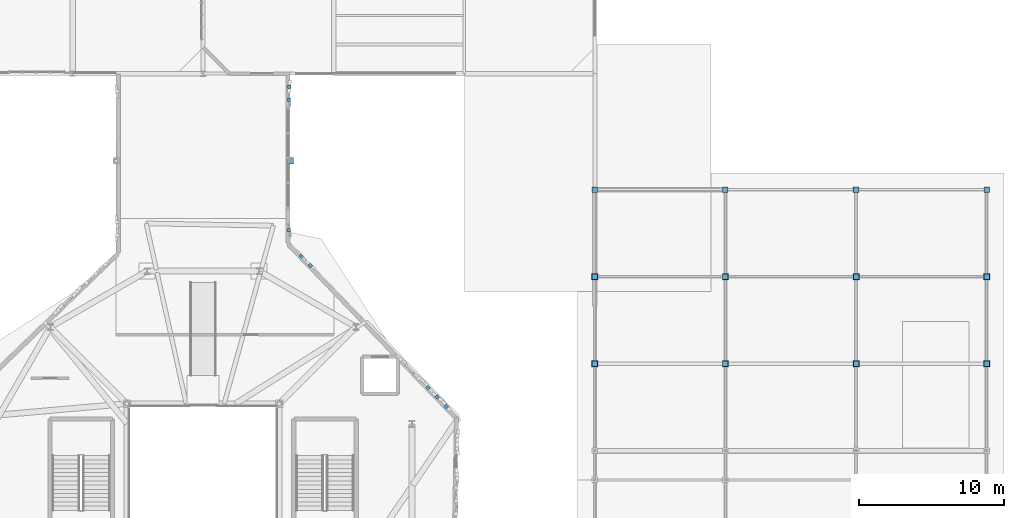
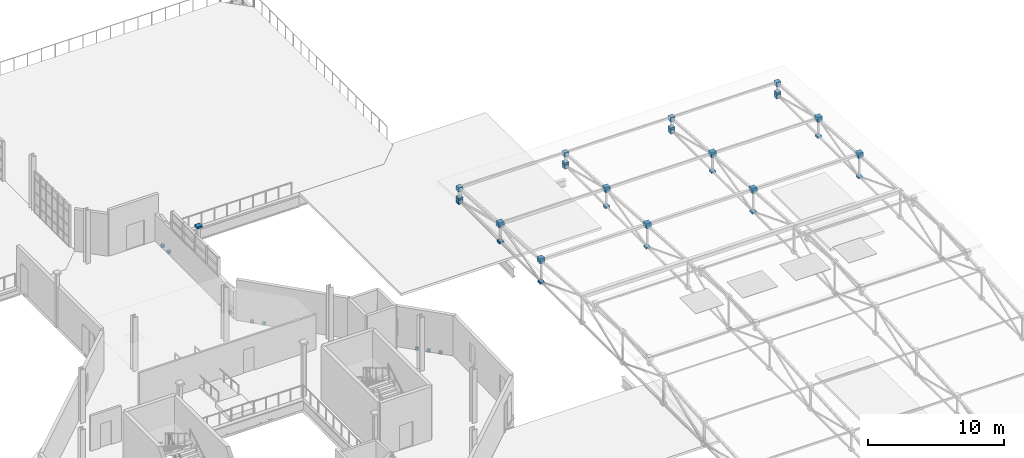
# One storey, part 79 of 85: 45 discrete accessories.
"""IFC4 building model written with IfcOpenShell, lengths in metres."""

from ifc_helpers import new_model, si_unit, direction, frame, origin, place, context, subcontext, project, spatial, polyline, outline, extrude, material, type_object, element, save


model = new_model("IFC4")

# Units and contexts
model_context = context("Model", 3, precision=1e-05, world=origin(), true_north=direction((0.0, 1.0)))
body_context = subcontext(model_context, "Body", "Model", "MODEL_VIEW")
ifc_project = project(units=[si_unit("LENGTHUNIT", "METRE"), si_unit("AREAUNIT", "SQUARE_METRE"), si_unit("VOLUMEUNIT", "CUBIC_METRE"), si_unit("PLANEANGLEUNIT", "RADIAN"), si_unit("MASSUNIT", "GRAM", prefix="KILO"), si_unit("THERMODYNAMICTEMPERATUREUNIT", "KELVIN"), si_unit("POWERUNIT", "WATT")], contexts=[model_context])

# Site, building, storey
site_placement = place(None, origin())
site = spatial("IfcSite", under=ifc_project, at=site_placement, CompositionType="ELEMENT")
building_placement = place(site_placement, origin())
building = spatial("IfcBuilding", under=site, at=building_placement, Name="Zelmaris Science Centre", CompositionType="ELEMENT")
storey_placement = place(building_placement, frame((0.0, 0.0, 20.39990234375)))
storey = spatial("IfcBuildingStorey", under=building, at=storey_placement, Name="L04", CompositionType="ELEMENT", Elevation=20.39990234375)

# Discrete accessories
ifc_material_1 = material(Name="Galvanised steel ASTM A500 Grade B", Category="steel")
discrete_accessory_type_1 = type_object("IfcDiscreteAccessoryType", Name="Facade Bracket BK-01", PredefinedType="BRACKET", material=ifc_material_1)
discrete_accessory_1_placement = place(storey_placement, frame((0.0, 0.0, -0.139892578125)))
element("IfcDiscreteAccessory", 1, at=discrete_accessory_1_placement, inside=storey, type_object=discrete_accessory_type_1, Name="L04 Facade anchorage bracket 167", PredefinedType="BRACKET", context=body_context, shape_type="SweptSolid", body=[
    extrude(outline(polyline([(86.80029296875, 63.22998046875), (86.800537109375, 62.989990234375), (87.031982421875, 62.990234375), (87.031982421875, 63.230224609375), (86.80029296875, 63.22998046875)])), origin(), (0.0, 0.0, 1.0), 0.239990234375),
])
discrete_accessory_2_placement = place(storey_placement, frame((0.0, 0.0, -0.139892578125)))
element("IfcDiscreteAccessory", 2, at=discrete_accessory_2_placement, inside=storey, type_object=discrete_accessory_type_1, Name="L04 Facade anchorage bracket 168", PredefinedType="BRACKET", context=body_context, shape_type="SweptSolid", body=[
    extrude(outline(polyline([(86.80078125, 62.330078125), (86.801025390625, 62.090087890625), (87.03271484375, 62.09033203125), (87.032470703125, 62.330322265625), (86.80078125, 62.330078125)])), origin(), (0.0, 0.0, 1.0), 0.239990234375),
])
discrete_accessory_3_placement = place(storey_placement, frame((0.0, 0.0, -0.139892578125)))
element("IfcDiscreteAccessory", 3, at=discrete_accessory_3_placement, inside=storey, type_object=discrete_accessory_type_1, Name="L04 Facade anchorage bracket 169", PredefinedType="BRACKET", context=body_context, shape_type="SweptSolid", body=[
    extrude(outline(polyline([(86.80615234375, 53.330078125), (86.806396484375, 53.090087890625), (87.037841796875, 53.09033203125), (87.037841796875, 53.330322265625), (86.80615234375, 53.330078125)])), origin(), (0.0, 0.0, 1.0), 0.239990234375),
])
discrete_accessory_4_placement = place(storey_placement, frame((0.0, 0.0, -0.139892578125)))
element("IfcDiscreteAccessory", 4, at=discrete_accessory_4_placement, inside=storey, type_object=discrete_accessory_type_1, Name="L04 Facade anchorage bracket 170", PredefinedType="BRACKET", context=body_context, shape_type="SweptSolid", body=[
    extrude(outline(polyline([(87.586181640625, 51.428466796875), (87.7529296875, 51.255859375), (87.91943359375, 51.416748046875), (87.752685546875, 51.58935546875), (87.586181640625, 51.428466796875)])), origin(), (0.0, 0.0, 1.0), 0.239990234375),
])
discrete_accessory_5_placement = place(storey_placement, frame((0.0, 0.0, -0.139892578125)))
element("IfcDiscreteAccessory", 5, at=discrete_accessory_5_placement, inside=storey, type_object=discrete_accessory_type_1, Name="L04 Facade anchorage bracket 171", PredefinedType="BRACKET", context=body_context, shape_type="SweptSolid", body=[
    extrude(outline(polyline([(88.211181640625, 50.781005859375), (88.3779296875, 50.6083984375), (88.544677734375, 50.769287109375), (88.3779296875, 50.94189453125), (88.211181640625, 50.781005859375)])), origin(), (0.0, 0.0, 1.0), 0.239990234375),
])
discrete_accessory_6_placement = place(storey_placement, frame((0.0, 0.0, -0.139892578125)))
element("IfcDiscreteAccessory", 6, at=discrete_accessory_6_placement, inside=storey, type_object=discrete_accessory_type_1, Name="L04 Facade anchorage bracket 174", PredefinedType="BRACKET", context=body_context, shape_type="SweptSolid", body=[
    extrude(outline(polyline([(96.33740234375, 42.363525390625), (96.504150390625, 42.19091796875), (96.6708984375, 42.351806640625), (96.504150390625, 42.5244140625), (96.33740234375, 42.363525390625)])), origin(), (0.0, 0.0, 1.0), 0.239990234375),
])
discrete_accessory_7_placement = place(storey_placement, frame((0.0, 0.0, -0.139892578125)))
element("IfcDiscreteAccessory", 7, at=discrete_accessory_7_placement, inside=storey, type_object=discrete_accessory_type_1, Name="L04 Facade anchorage bracket 175", PredefinedType="BRACKET", context=body_context, shape_type="SweptSolid", body=[
    extrude(outline(polyline([(96.962646484375, 41.716064453125), (97.12939453125, 41.543212890625), (97.2958984375, 41.7041015625), (97.129150390625, 41.876953125), (96.962646484375, 41.716064453125)])), origin(), (0.0, 0.0, 1.0), 0.239990234375),
])
discrete_accessory_8_placement = place(storey_placement, frame((0.0, 0.0, -0.139892578125)))
element("IfcDiscreteAccessory", 8, at=discrete_accessory_8_placement, inside=storey, type_object=discrete_accessory_type_1, Name="L04 Facade anchorage bracket 176", PredefinedType="BRACKET", context=body_context, shape_type="SweptSolid", body=[
    extrude(outline(polyline([(97.587646484375, 41.068603515625), (97.75439453125, 40.895751953125), (97.9208984375, 41.056640625), (97.75439453125, 41.2294921875), (97.587646484375, 41.068603515625)])), origin(), (0.0, 0.0, 1.0), 0.239990234375),
])
ifc_material_2 = material(Name="Steel ASTM A500 Grade C", Category="steel")
discrete_accessory_type_2 = type_object("IfcDiscreteAccessoryType", Name="Hollow Section End Cap Plate BK-ECP", PredefinedType="BRACKET", material=ifc_material_2)
discrete_accessory_9_placement = place(storey_placement, frame((0.0, 0.0, 4.72705078125)))
element("IfcDiscreteAccessory", 9, at=discrete_accessory_9_placement, inside=storey, type_object=discrete_accessory_type_2, Name="End cap plate 55", PredefinedType="BRACKET", context=body_context, shape_type="SweptSolid", body=[
    extrude(outline(polyline([(86.78076171875, 57.78076171875), (87.21923828125, 57.78076171875), (87.21923828125, 58.21923828125), (86.78076171875, 58.21923828125), (86.78076171875, 57.78076171875)])), origin(), (0.0, 0.0, 1.0), 0.157958984375),
])
discrete_accessory_10_placement = place(storey_placement, frame((0.0, 0.0, 0.7587890625)))
element("IfcDiscreteAccessory", 10, at=discrete_accessory_10_placement, inside=storey, type_object=discrete_accessory_type_2, Name="End cap plate 208", PredefinedType="BRACKET", context=body_context, shape_type="SweptSolid", body=[
    extrude(outline(polyline([(107.81103515625, 55.81689453125), (108.18896484375, 55.81689453125), (108.18896484375, 56.195068359375), (107.81103515625, 56.195068359375), (107.81103515625, 55.81689453125)])), origin(), (0.0, 0.0, 1.0), 0.378173828125),
])
discrete_accessory_11_placement = place(storey_placement, frame((0.0, 0.0, 1.856689453125)))
element("IfcDiscreteAccessory", 11, at=discrete_accessory_11_placement, inside=storey, type_object=discrete_accessory_type_2, Name="End cap plate 211", PredefinedType="BRACKET", context=body_context, shape_type="SweptSolid", body=[
    extrude(outline(polyline([(107.80908203125, 55.815185546875), (108.19091796875, 55.815185546875), (108.19091796875, 56.19677734375), (107.80908203125, 56.19677734375), (107.80908203125, 55.815185546875)])), origin(), (0.0, 0.0, 1.0), 0.381591796875),
])
for number, where, name in (
    (12, (0.0, 0.0, 0.86279296875), "End cap plate 221"),
    (13, (0.0, 0.0, 2.7998046875), "End cap plate 222"),
):
    element("IfcDiscreteAccessory", number, at=place(storey_placement, frame(where)), inside=storey, type_object=discrete_accessory_type_2, Name=name, PredefinedType="BRACKET", context=body_context, shape_type="SweptSolid", body=[
        extrude(outline(polyline([(107.81103515625, 43.81103515625), (108.18896484375, 43.81103515625), (108.18896484375, 44.18896484375), (107.81103515625, 44.18896484375), (107.81103515625, 43.81103515625)])), origin(), (0.0, 0.0, 1.0), 0.158203125),
    ])
discrete_accessory_12_placement = place(storey_placement, frame((0.0, 0.0, 0.86279296875)))
element("IfcDiscreteAccessory", 14, at=discrete_accessory_12_placement, inside=storey, type_object=discrete_accessory_type_2, Name="End cap plate 223", PredefinedType="BRACKET", context=body_context, shape_type="SweptSolid", body=[
    extrude(outline(polyline([(107.81103515625, 49.81103515625), (108.18896484375, 49.81103515625), (108.18896484375, 50.18896484375), (107.81103515625, 50.18896484375), (107.81103515625, 49.81103515625)])), origin(), (0.0, 0.0, 1.0), 0.158203125),
])
discrete_accessory_13_placement = place(storey_placement, frame((0.0, 0.0, 2.387451171875)))
element("IfcDiscreteAccessory", 15, at=discrete_accessory_13_placement, inside=storey, type_object=discrete_accessory_type_2, Name="End cap plate 224", PredefinedType="BRACKET", context=body_context, shape_type="SweptSolid", body=[
    extrude(outline(polyline([(107.81103515625, 49.81103515625), (108.18896484375, 49.81103515625), (108.18896484375, 50.18896484375), (107.81103515625, 50.18896484375), (107.81103515625, 49.81103515625)])), origin(), (0.0, 0.0, 1.0), 0.157958984375),
])
discrete_accessory_14_placement = place(storey_placement, frame((0.0, 0.0, 1.1650390625)))
element("IfcDiscreteAccessory", 16, at=discrete_accessory_14_placement, inside=storey, type_object=discrete_accessory_type_2, Name="End cap plate 226", PredefinedType="BRACKET", context=body_context, shape_type="SweptSolid", body=[
    extrude(outline(polyline([(107.80908203125, 55.80908203125), (108.19091796875, 55.80908203125), (108.19091796875, 56.19091796875), (107.80908203125, 56.19091796875), (107.80908203125, 55.80908203125)])), origin(), (0.0, 0.0, 1.0), 0.157958984375),
])
discrete_accessory_15_placement = place(storey_placement, frame((0.0, 0.0, 0.7587890625)))
element("IfcDiscreteAccessory", 17, at=discrete_accessory_15_placement, inside=storey, type_object=discrete_accessory_type_2, Name="End cap plate 228", PredefinedType="BRACKET", context=body_context, shape_type="SweptSolid", body=[
    extrude(outline(polyline([(116.81103515625, 55.81689453125), (117.18896484375, 55.81689453125), (117.18896484375, 56.195068359375), (116.81103515625, 56.195068359375), (116.81103515625, 55.81689453125)])), origin(), (0.0, 0.0, 1.0), 0.378173828125),
])
discrete_accessory_16_placement = place(storey_placement, frame((0.0, 0.0, 1.856689453125)))
element("IfcDiscreteAccessory", 18, at=discrete_accessory_16_placement, inside=storey, type_object=discrete_accessory_type_2, Name="End cap plate 231", PredefinedType="BRACKET", context=body_context, shape_type="SweptSolid", body=[
    extrude(outline(polyline([(116.80908203125, 55.815185546875), (117.19091796875, 55.815185546875), (117.19091796875, 56.19677734375), (116.80908203125, 56.19677734375), (116.80908203125, 55.815185546875)])), origin(), (0.0, 0.0, 1.0), 0.381591796875),
])
for number, where, name in (
    (19, (0.0, 0.0, 0.86279296875), "End cap plate 241"),
    (20, (0.0, 0.0, 2.7998046875), "End cap plate 242"),
):
    element("IfcDiscreteAccessory", number, at=place(storey_placement, frame(where)), inside=storey, type_object=discrete_accessory_type_2, Name=name, PredefinedType="BRACKET", context=body_context, shape_type="SweptSolid", body=[
        extrude(outline(polyline([(116.81103515625, 43.81103515625), (117.18896484375, 43.81103515625), (117.18896484375, 44.18896484375), (116.81103515625, 44.18896484375), (116.81103515625, 43.81103515625)])), origin(), (0.0, 0.0, 1.0), 0.158203125),
    ])
discrete_accessory_17_placement = place(storey_placement, frame((0.0, 0.0, 0.86279296875)))
element("IfcDiscreteAccessory", 21, at=discrete_accessory_17_placement, inside=storey, type_object=discrete_accessory_type_2, Name="End cap plate 243", PredefinedType="BRACKET", context=body_context, shape_type="SweptSolid", body=[
    extrude(outline(polyline([(116.81103515625, 49.81103515625), (117.18896484375, 49.81103515625), (117.18896484375, 50.18896484375), (116.81103515625, 50.18896484375), (116.81103515625, 49.81103515625)])), origin(), (0.0, 0.0, 1.0), 0.158203125),
])
discrete_accessory_18_placement = place(storey_placement, frame((0.0, 0.0, 2.387451171875)))
element("IfcDiscreteAccessory", 22, at=discrete_accessory_18_placement, inside=storey, type_object=discrete_accessory_type_2, Name="End cap plate 244", PredefinedType="BRACKET", context=body_context, shape_type="SweptSolid", body=[
    extrude(outline(polyline([(116.81103515625, 49.81103515625), (117.18896484375, 49.81103515625), (117.18896484375, 50.18896484375), (116.81103515625, 50.18896484375), (116.81103515625, 49.81103515625)])), origin(), (0.0, 0.0, 1.0), 0.157958984375),
])
discrete_accessory_19_placement = place(storey_placement, frame((0.0, 0.0, 1.1650390625)))
element("IfcDiscreteAccessory", 23, at=discrete_accessory_19_placement, inside=storey, type_object=discrete_accessory_type_2, Name="End cap plate 246", PredefinedType="BRACKET", context=body_context, shape_type="SweptSolid", body=[
    extrude(outline(polyline([(116.80908203125, 55.80908203125), (117.19091796875, 55.80908203125), (117.19091796875, 56.19091796875), (116.80908203125, 56.19091796875), (116.80908203125, 55.80908203125)])), origin(), (0.0, 0.0, 1.0), 0.157958984375),
])
discrete_accessory_20_placement = place(storey_placement, frame((0.0, 0.0, 0.7587890625)))
element("IfcDiscreteAccessory", 24, at=discrete_accessory_20_placement, inside=storey, type_object=discrete_accessory_type_2, Name="End cap plate 248", PredefinedType="BRACKET", context=body_context, shape_type="SweptSolid", body=[
    extrude(outline(polyline([(125.81103515625, 55.81689453125), (126.18896484375, 55.81689453125), (126.18896484375, 56.195068359375), (125.81103515625, 56.195068359375), (125.81103515625, 55.81689453125)])), origin(), (0.0, 0.0, 1.0), 0.378173828125),
])
discrete_accessory_21_placement = place(storey_placement, frame((0.0, 0.0, 1.856689453125)))
element("IfcDiscreteAccessory", 25, at=discrete_accessory_21_placement, inside=storey, type_object=discrete_accessory_type_2, Name="End cap plate 251", PredefinedType="BRACKET", context=body_context, shape_type="SweptSolid", body=[
    extrude(outline(polyline([(125.80908203125, 55.815185546875), (126.19091796875, 55.815185546875), (126.19091796875, 56.19677734375), (125.80908203125, 56.19677734375), (125.80908203125, 55.815185546875)])), origin(), (0.0, 0.0, 1.0), 0.381591796875),
])
for number, where, name in (
    (26, (0.0, 0.0, 0.86279296875), "End cap plate 261"),
    (27, (0.0, 0.0, 2.7998046875), "End cap plate 262"),
):
    element("IfcDiscreteAccessory", number, at=place(storey_placement, frame(where)), inside=storey, type_object=discrete_accessory_type_2, Name=name, PredefinedType="BRACKET", context=body_context, shape_type="SweptSolid", body=[
        extrude(outline(polyline([(125.81103515625, 43.81103515625), (126.18896484375, 43.81103515625), (126.18896484375, 44.18896484375), (125.81103515625, 44.18896484375), (125.81103515625, 43.81103515625)])), origin(), (0.0, 0.0, 1.0), 0.158203125),
    ])
discrete_accessory_22_placement = place(storey_placement, frame((0.0, 0.0, 0.86279296875)))
element("IfcDiscreteAccessory", 28, at=discrete_accessory_22_placement, inside=storey, type_object=discrete_accessory_type_2, Name="End cap plate 263", PredefinedType="BRACKET", context=body_context, shape_type="SweptSolid", body=[
    extrude(outline(polyline([(125.81103515625, 49.81103515625), (126.18896484375, 49.81103515625), (126.18896484375, 50.18896484375), (125.81103515625, 50.18896484375), (125.81103515625, 49.81103515625)])), origin(), (0.0, 0.0, 1.0), 0.158203125),
])
discrete_accessory_23_placement = place(storey_placement, frame((0.0, 0.0, 2.387451171875)))
element("IfcDiscreteAccessory", 29, at=discrete_accessory_23_placement, inside=storey, type_object=discrete_accessory_type_2, Name="End cap plate 264", PredefinedType="BRACKET", context=body_context, shape_type="SweptSolid", body=[
    extrude(outline(polyline([(125.81103515625, 49.81103515625), (126.18896484375, 49.81103515625), (126.18896484375, 50.18896484375), (125.81103515625, 50.18896484375), (125.81103515625, 49.81103515625)])), origin(), (0.0, 0.0, 1.0), 0.157958984375),
])
discrete_accessory_24_placement = place(storey_placement, frame((0.0, 0.0, 1.1650390625)))
element("IfcDiscreteAccessory", 30, at=discrete_accessory_24_placement, inside=storey, type_object=discrete_accessory_type_2, Name="End cap plate 266", PredefinedType="BRACKET", context=body_context, shape_type="SweptSolid", body=[
    extrude(outline(polyline([(125.80908203125, 55.80908203125), (126.19091796875, 55.80908203125), (126.19091796875, 56.19091796875), (125.80908203125, 56.19091796875), (125.80908203125, 55.80908203125)])), origin(), (0.0, 0.0, 1.0), 0.157958984375),
])
discrete_accessory_25_placement = place(storey_placement, frame((0.0, 0.0, 0.7587890625)))
element("IfcDiscreteAccessory", 31, at=discrete_accessory_25_placement, inside=storey, type_object=discrete_accessory_type_2, Name="End cap plate 268", PredefinedType="BRACKET", context=body_context, shape_type="SweptSolid", body=[
    extrude(outline(polyline([(134.81103515625, 55.81689453125), (135.18896484375, 55.81689453125), (135.18896484375, 56.195068359375), (134.81103515625, 56.195068359375), (134.81103515625, 55.81689453125)])), origin(), (0.0, 0.0, 1.0), 0.378173828125),
])
discrete_accessory_26_placement = place(storey_placement, frame((0.0, 0.0, 1.856689453125)))
element("IfcDiscreteAccessory", 32, at=discrete_accessory_26_placement, inside=storey, type_object=discrete_accessory_type_2, Name="End cap plate 271", PredefinedType="BRACKET", context=body_context, shape_type="SweptSolid", body=[
    extrude(outline(polyline([(134.80908203125, 55.815185546875), (135.19091796875, 55.815185546875), (135.19091796875, 56.19677734375), (134.80908203125, 56.19677734375), (134.80908203125, 55.815185546875)])), origin(), (0.0, 0.0, 1.0), 0.381591796875),
])
for number, where, name in (
    (33, (0.0, 0.0, 0.86279296875), "End cap plate 281"),
    (34, (0.0, 0.0, 2.7998046875), "End cap plate 282"),
):
    element("IfcDiscreteAccessory", number, at=place(storey_placement, frame(where)), inside=storey, type_object=discrete_accessory_type_2, Name=name, PredefinedType="BRACKET", context=body_context, shape_type="SweptSolid", body=[
        extrude(outline(polyline([(134.81103515625, 43.81103515625), (135.18896484375, 43.81103515625), (135.18896484375, 44.18896484375), (134.81103515625, 44.18896484375), (134.81103515625, 43.81103515625)])), origin(), (0.0, 0.0, 1.0), 0.158203125),
    ])
discrete_accessory_27_placement = place(storey_placement, frame((0.0, 0.0, 0.86279296875)))
element("IfcDiscreteAccessory", 35, at=discrete_accessory_27_placement, inside=storey, type_object=discrete_accessory_type_2, Name="End cap plate 283", PredefinedType="BRACKET", context=body_context, shape_type="SweptSolid", body=[
    extrude(outline(polyline([(134.81103515625, 49.81103515625), (135.18896484375, 49.81103515625), (135.18896484375, 50.18896484375), (134.81103515625, 50.18896484375), (134.81103515625, 49.81103515625)])), origin(), (0.0, 0.0, 1.0), 0.158203125),
])
discrete_accessory_28_placement = place(storey_placement, frame((0.0, 0.0, 2.387451171875)))
element("IfcDiscreteAccessory", 36, at=discrete_accessory_28_placement, inside=storey, type_object=discrete_accessory_type_2, Name="End cap plate 284", PredefinedType="BRACKET", context=body_context, shape_type="SweptSolid", body=[
    extrude(outline(polyline([(134.81103515625, 49.81103515625), (135.18896484375, 49.81103515625), (135.18896484375, 50.18896484375), (134.81103515625, 50.18896484375), (134.81103515625, 49.81103515625)])), origin(), (0.0, 0.0, 1.0), 0.157958984375),
])
discrete_accessory_29_placement = place(storey_placement, frame((0.0, 0.0, 1.1650390625)))
element("IfcDiscreteAccessory", 37, at=discrete_accessory_29_placement, inside=storey, type_object=discrete_accessory_type_2, Name="End cap plate 286", PredefinedType="BRACKET", context=body_context, shape_type="SweptSolid", body=[
    extrude(outline(polyline([(134.80908203125, 55.80908203125), (135.19091796875, 55.80908203125), (135.19091796875, 56.19091796875), (134.80908203125, 56.19091796875), (134.80908203125, 55.80908203125)])), origin(), (0.0, 0.0, 1.0), 0.157958984375),
])
discrete_accessory_30_placement = place(storey_placement, frame((0.0, 0.0, 2.723388671875)))
element("IfcDiscreteAccessory", 38, at=discrete_accessory_30_placement, inside=storey, type_object=discrete_accessory_type_2, Name="End cap plate 293", PredefinedType="BRACKET", context=body_context, shape_type="SweptSolid", body=[
    extrude(outline(polyline([(107.77490234375, 43.78076171875), (108.213134765625, 43.78076171875), (108.213134765625, 44.21923828125), (107.77490234375, 44.21923828125), (107.77490234375, 43.78076171875)])), origin(), (0.0, 0.0, 1.0), 0.438232421875),
])
discrete_accessory_31_placement = place(storey_placement, frame((0.0, 0.0, 2.723388671875)))
element("IfcDiscreteAccessory", 39, at=discrete_accessory_31_placement, inside=storey, type_object=discrete_accessory_type_2, Name="End cap plate 294", PredefinedType="BRACKET", context=body_context, shape_type="SweptSolid", body=[
    extrude(outline(polyline([(116.786865234375, 43.78076171875), (117.22509765625, 43.78076171875), (117.22509765625, 44.21923828125), (116.786865234375, 44.21923828125), (116.786865234375, 43.78076171875)])), origin(), (0.0, 0.0, 1.0), 0.438232421875),
])
discrete_accessory_32_placement = place(storey_placement, frame((0.0, 0.0, 2.310791015625)))
element("IfcDiscreteAccessory", 40, at=discrete_accessory_32_placement, inside=storey, type_object=discrete_accessory_type_2, Name="End cap plate 295", PredefinedType="BRACKET", context=body_context, shape_type="SweptSolid", body=[
    extrude(outline(polyline([(107.77490234375, 49.78076171875), (108.213134765625, 49.78076171875), (108.213134765625, 50.21923828125), (107.77490234375, 50.21923828125), (107.77490234375, 49.78076171875)])), origin(), (0.0, 0.0, 1.0), 0.4384765625),
])
discrete_accessory_33_placement = place(storey_placement, frame((0.0, 0.0, 2.310791015625)))
element("IfcDiscreteAccessory", 41, at=discrete_accessory_33_placement, inside=storey, type_object=discrete_accessory_type_2, Name="End cap plate 296", PredefinedType="BRACKET", context=body_context, shape_type="SweptSolid", body=[
    extrude(outline(polyline([(116.786865234375, 49.78076171875), (117.22509765625, 49.78076171875), (117.22509765625, 50.21923828125), (116.786865234375, 50.21923828125), (116.786865234375, 49.78076171875)])), origin(), (0.0, 0.0, 1.0), 0.4384765625),
])
discrete_accessory_34_placement = place(storey_placement, frame((0.0, 0.0, 2.723388671875)))
element("IfcDiscreteAccessory", 42, at=discrete_accessory_34_placement, inside=storey, type_object=discrete_accessory_type_2, Name="End cap plate 300", PredefinedType="BRACKET", context=body_context, shape_type="SweptSolid", body=[
    extrude(outline(polyline([(125.786865234375, 43.78076171875), (126.22509765625, 43.78076171875), (126.22509765625, 44.21923828125), (125.786865234375, 44.21923828125), (125.786865234375, 43.78076171875)])), origin(), (0.0, 0.0, 1.0), 0.438232421875),
])
discrete_accessory_35_placement = place(storey_placement, frame((0.0, 0.0, 2.310791015625)))
element("IfcDiscreteAccessory", 43, at=discrete_accessory_35_placement, inside=storey, type_object=discrete_accessory_type_2, Name="End cap plate 301", PredefinedType="BRACKET", context=body_context, shape_type="SweptSolid", body=[
    extrude(outline(polyline([(125.786865234375, 49.78076171875), (126.22509765625, 49.78076171875), (126.22509765625, 50.21923828125), (125.786865234375, 50.21923828125), (125.786865234375, 49.78076171875)])), origin(), (0.0, 0.0, 1.0), 0.4384765625),
])
discrete_accessory_36_placement = place(storey_placement, frame((0.0, 0.0, 2.723388671875)))
element("IfcDiscreteAccessory", 44, at=discrete_accessory_36_placement, inside=storey, type_object=discrete_accessory_type_2, Name="End cap plate 305", PredefinedType="BRACKET", context=body_context, shape_type="SweptSolid", body=[
    extrude(outline(polyline([(134.786865234375, 43.78076171875), (135.22509765625, 43.78076171875), (135.22509765625, 44.21923828125), (134.786865234375, 44.21923828125), (134.786865234375, 43.78076171875)])), origin(), (0.0, 0.0, 1.0), 0.438232421875),
])
discrete_accessory_37_placement = place(storey_placement, frame((0.0, 0.0, 2.310791015625)))
element("IfcDiscreteAccessory", 45, at=discrete_accessory_37_placement, inside=storey, type_object=discrete_accessory_type_2, Name="End cap plate 306", PredefinedType="BRACKET", context=body_context, shape_type="SweptSolid", body=[
    extrude(outline(polyline([(134.786865234375, 49.78076171875), (135.22509765625, 49.78076171875), (135.22509765625, 50.21923828125), (134.786865234375, 50.21923828125), (134.786865234375, 49.78076171875)])), origin(), (0.0, 0.0, 1.0), 0.4384765625),
])

save(model, "model.ifc")
